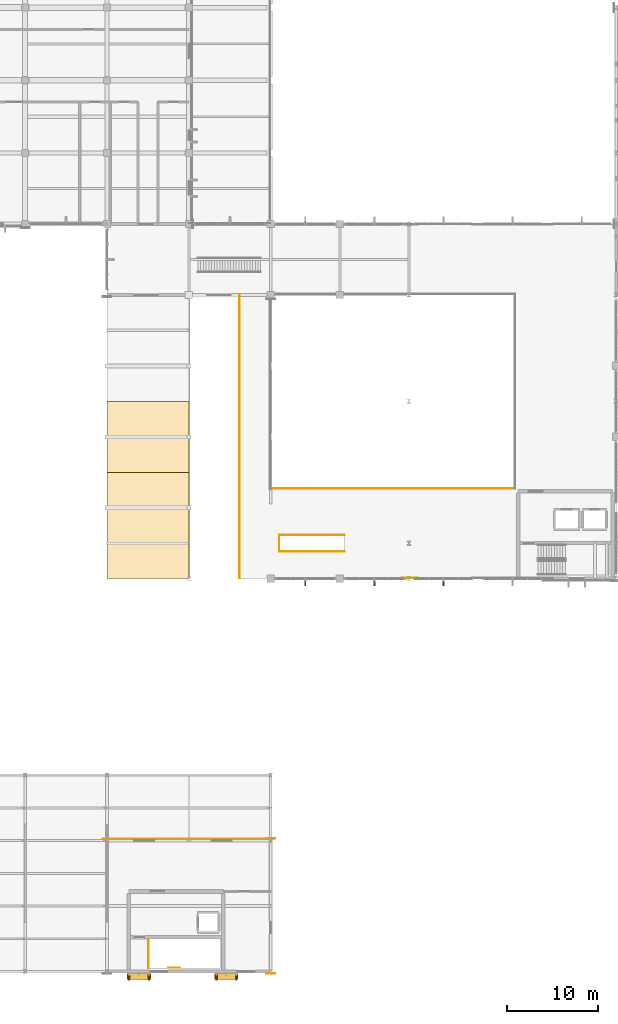
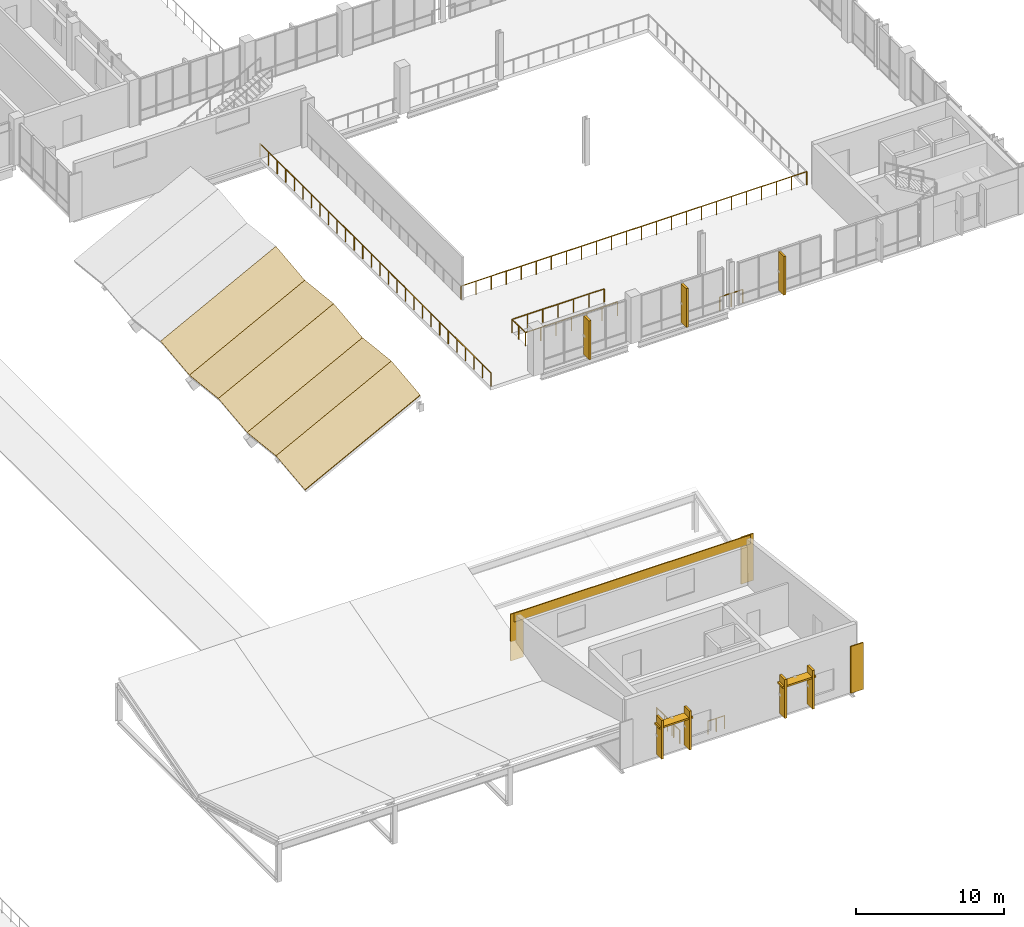
# One storey, part 57 of 64: 9 coverings, 9 railings, 9 shading devices.
"""IFC4 building model written with IfcOpenShell, lengths in metres."""

from ifc_helpers import new_model, si_unit, direction, frame, origin, origin_2d, place, context, subcontext, project, spatial, polyline, rectangle, circle, outline, extrude, material, layer, layer_set, type_object, element, save


model = new_model("IFC4")

# Units and contexts
model_context = context("Model", 3, precision=1e-05, world=origin(), true_north=direction((0.0, 1.0)))
body_context = subcontext(model_context, "Body", "Model", "MODEL_VIEW")
ifc_project = project(units=[si_unit("LENGTHUNIT", "METRE"), si_unit("AREAUNIT", "SQUARE_METRE"), si_unit("VOLUMEUNIT", "CUBIC_METRE"), si_unit("PLANEANGLEUNIT", "RADIAN"), si_unit("MASSUNIT", "GRAM", prefix="KILO")], contexts=[model_context])

# Site, building, storey
site_placement = place(None, origin())
site = spatial("IfcSite", under=ifc_project, at=site_placement, CompositionType="ELEMENT")
building_placement = place(site_placement, origin())
building = spatial("IfcBuilding", under=site, at=building_placement, Name="Vervanel Yard Central Library", CompositionType="ELEMENT")
storey_placement = place(building_placement, frame((0.0, 0.0, 8.93994140625)))
storey = spatial("IfcBuildingStorey", under=building, at=storey_placement, Name="L02", CompositionType="ELEMENT", Elevation=8.93994140625)

# Coverings
ifc_material_1 = material(Name="Precast concrete C45/55", Category="concrete")
ifc_layer_1 = layer(ifc_material_1, 0.0849609375, Category="concrete")
ifc_layer_set_1 = layer_set([ifc_layer_1], Name="Precast concrete C45/55")
covering_type_1 = type_object("IfcCoveringType", Name="Bush-Hammered Precast Architectural Cladding Panel", PredefinedType="CLADDING", material=ifc_layer_set_1)
covering_1_placement = place(storey_placement, frame((108.0, -0.21240234375, 0.0), z_axis=(0.0, 0.0, 1.0), x_axis=(1.0, 0.0, 0.0)))
element("IfcCovering", 1, at=covering_1_placement, inside=storey, type_object=covering_type_1, Name="L02 Precast Concrete Pier Pilaster EWALL-L02-0209-B", PredefinedType="CLADDING", context=body_context, shape_type="SweptSolid", body=[
    extrude(rectangle(XDim=0.97998046875, YDim=0.0849609375, at=origin_2d()), origin(), (0.0, 0.0, 1.0), 3.860107421875),
])
covering_2_placement = place(storey_placement, frame((99.0, 14.570068359375, 3.1201171875), z_axis=(0.0, 0.0, 1.0), x_axis=(1.0, 0.0, 0.0)))
element("IfcCovering", 2, at=covering_2_placement, inside=storey, type_object=covering_type_1, Name="L02 Precast Concrete Spandrel Cornice EWALL-L02-0210", PredefinedType="CLADDING", context=body_context, shape_type="SweptSolid", body=[
    extrude(rectangle(XDim=18.449951171875, YDim=0.0849609375, at=origin_2d()), origin(), (0.0, 0.0, 1.0), 0.739990234375),
])
for number, where, z_axis, x_axis, name in (
    (3, (90.0, 14.572509765625, 0.0), (0.0, 0.0, 1.0), (1.0, 0.0, 0.0), "L02 Precast Concrete Pier Pilaster EWALL-L02-0210-A"),
    (4, (108.0, 14.626708984375, 0.0), (0.0, 0.0, 1.0), (1.0, 0.0, 0.0), "L02 Precast Concrete Pier Pilaster EWALL-L02-0210-B"),
):
    element("IfcCovering", number, at=place(storey_placement, frame(where, z_axis=z_axis, x_axis=x_axis)), inside=storey, type_object=covering_type_1, Name=name, PredefinedType="CLADDING", context=body_context, shape_type="SweptSolid", body=[
        extrude(rectangle(XDim=0.97998046875, YDim=0.0849609375, at=origin_2d()), origin(), (0.0, 0.0, 1.0), 3.860107421875),
    ])

# Railings
ifc_material_2 = material(Name="Brushed stainless steel AISI 316", Category="steel")
railing_type_1 = type_object("IfcRailingType", Name="Glazed Atrium & Gallery Balustrade 1120", PredefinedType="BALUSTRADE", material=ifc_material_2)
railing_1_placement = place(storey_placement, frame((108.93994140625, 46.199951171875, 0.0)))
element("IfcRailing", 5, at=railing_1_placement, inside=storey, type_object=railing_type_1, Name="L02 Void Guard FST-03-L01-WELLGD S", PredefinedType="BALUSTRADE", context=body_context, shape_type="SweptSolid", body=[
    extrude(circle(Radius=0.02392578125, at=origin_2d()), frame((0.0, 0.0, 1.09619140625), z_axis=(1.0, 0.0, 0.0), x_axis=(0.0, 1.0, 0.0)), (0.0, 0.0, 1.0), 7.18505859375),
    extrude(circle(Radius=0.02099609375, at=origin_2d()), origin(), (0.0, 0.0, 1.0), 1.072021484375),
    extrude(circle(Radius=0.02099609375, at=origin_2d()), frame((1.197509765625, 0.0, 0.0)), (0.0, 0.0, 1.0), 1.072021484375),
    extrude(circle(Radius=0.02099609375, at=origin_2d()), frame((2.39501953125, 0.0, 0.0)), (0.0, 0.0, 1.0), 1.072021484375),
    extrude(circle(Radius=0.02099609375, at=origin_2d()), frame((3.592529296875, 0.0, 0.0)), (0.0, 0.0, 1.0), 1.072021484375),
    extrude(circle(Radius=0.02099609375, at=origin_2d()), frame((4.7900390625, 0.0, 0.0)), (0.0, 0.0, 1.0), 1.072021484375),
    extrude(circle(Radius=0.02099609375, at=origin_2d()), frame((5.987548828125, 0.0, 0.0)), (0.0, 0.0, 1.0), 1.072021484375),
    extrude(circle(Radius=0.02099609375, at=origin_2d()), frame((7.18505859375, 0.0, 0.0)), (0.0, 0.0, 1.0), 1.072021484375),
])
railing_2_placement = place(storey_placement, frame((116.125, 48.0, 0.0)))
element("IfcRailing", 6, at=railing_2_placement, inside=storey, type_object=railing_type_1, Name="L02 Void Guard FST-03-L01-WELLGD N", PredefinedType="BALUSTRADE", context=body_context, shape_type="SweptSolid", body=[
    extrude(circle(Radius=0.02392578125, at=origin_2d()), frame((0.0, 0.0, 1.09619140625), z_axis=(-1.0, 0.0, 0.0), x_axis=(0.0, -1.0, 0.0)), (0.0, 0.0, 1.0), 7.18505859375),
    extrude(circle(Radius=0.02099609375, at=origin_2d()), origin(), (0.0, 0.0, 1.0), 1.072021484375),
    extrude(circle(Radius=0.02099609375, at=origin_2d()), frame((-1.197509765625, 0.0, 0.0)), (0.0, 0.0, 1.0), 1.072021484375),
    extrude(circle(Radius=0.02099609375, at=origin_2d()), frame((-2.39501953125, 0.0, 0.0)), (0.0, 0.0, 1.0), 1.072021484375),
    extrude(circle(Radius=0.02099609375, at=origin_2d()), frame((-3.592529296875, 0.0, 0.0)), (0.0, 0.0, 1.0), 1.072021484375),
    extrude(circle(Radius=0.02099609375, at=origin_2d()), frame((-4.7900390625, 0.0, 0.0)), (0.0, 0.0, 1.0), 1.072021484375),
    extrude(circle(Radius=0.02099609375, at=origin_2d()), frame((-5.987548828125, 0.0, 0.0)), (0.0, 0.0, 1.0), 1.072021484375),
    extrude(circle(Radius=0.02099609375, at=origin_2d()), frame((-7.18505859375, 0.0, 0.0)), (0.0, 0.0, 1.0), 1.072021484375),
])
railing_3_placement = place(storey_placement, frame((108.93994140625, 48.0, 0.0)))
element("IfcRailing", 7, at=railing_3_placement, inside=storey, type_object=railing_type_1, Name="L02 Void Guard FST-03-L01-WELLGD W", PredefinedType="BALUSTRADE", context=body_context, shape_type="SweptSolid", body=[
    extrude(circle(Radius=0.02392578125, at=origin_2d()), frame((0.0, 0.0, 1.09619140625), z_axis=(0.0, -1.0, 0.0), x_axis=(1.0, 0.0, 0.0)), (0.0, 0.0, 1.0), 1.800048828125),
    extrude(circle(Radius=0.02099609375, at=origin_2d()), origin(), (0.0, 0.0, 1.0), 1.072021484375),
    extrude(circle(Radius=0.02099609375, at=origin_2d()), frame((0.0, -0.89990234375, 0.0)), (0.0, 0.0, 1.0), 1.072021484375),
    extrude(circle(Radius=0.02099609375, at=origin_2d()), frame((0.0, -1.800048828125, 0.0)), (0.0, 0.0, 1.0), 1.072021484375),
])
railing_4_placement = place(storey_placement, frame((107.919921875, 53.1201171875, 0.0)))
element("IfcRailing", 8, at=railing_4_placement, inside=storey, type_object=railing_type_1, Name="L02 Void Guard V3HALL-GD-L02 S", PredefinedType="BALUSTRADE", context=body_context, shape_type="SweptSolid", body=[
    extrude(circle(Radius=0.02392578125, at=origin_2d()), frame((0.0, 0.0, 1.09619140625), z_axis=(1.0, 0.0, 0.0), x_axis=(0.0, 1.0, 0.0)), (0.0, 0.0, 1.0), 26.9599609375),
    extrude(circle(Radius=0.02099609375, at=origin_2d()), origin(), (0.0, 0.0, 1.0), 1.072021484375),
    extrude(circle(Radius=0.02099609375, at=origin_2d()), frame((1.172119140625, 0.0, 0.0)), (0.0, 0.0, 1.0), 1.072021484375),
    extrude(circle(Radius=0.02099609375, at=origin_2d()), frame((2.34423828125, 0.0, 0.0)), (0.0, 0.0, 1.0), 1.072021484375),
    extrude(circle(Radius=0.02099609375, at=origin_2d()), frame((3.5166015625, 0.0, 0.0)), (0.0, 0.0, 1.0), 1.072021484375),
    extrude(circle(Radius=0.02099609375, at=origin_2d()), frame((4.688720703125, 0.0, 0.0)), (0.0, 0.0, 1.0), 1.072021484375),
    extrude(circle(Radius=0.02099609375, at=origin_2d()), frame((5.86083984375, 0.0, 0.0)), (0.0, 0.0, 1.0), 1.072021484375),
    extrude(circle(Radius=0.02099609375, at=origin_2d()), frame((7.032958984375, 0.0, 0.0)), (0.0, 0.0, 1.0), 1.072021484375),
    extrude(circle(Radius=0.02099609375, at=origin_2d()), frame((8.205322265625, 0.0, 0.0)), (0.0, 0.0, 1.0), 1.072021484375),
    extrude(circle(Radius=0.02099609375, at=origin_2d()), frame((9.37744140625, 0.0, 0.0)), (0.0, 0.0, 1.0), 1.072021484375),
    extrude(circle(Radius=0.02099609375, at=origin_2d()), frame((10.549560546875, 0.0, 0.0)), (0.0, 0.0, 1.0), 1.072021484375),
    extrude(circle(Radius=0.02099609375, at=origin_2d()), frame((11.7216796875, 0.0, 0.0)), (0.0, 0.0, 1.0), 1.072021484375),
    extrude(circle(Radius=0.02099609375, at=origin_2d()), frame((12.893798828125, 0.0, 0.0)), (0.0, 0.0, 1.0), 1.072021484375),
    extrude(circle(Radius=0.02099609375, at=origin_2d()), frame((14.066162109375, 0.0, 0.0)), (0.0, 0.0, 1.0), 1.072021484375),
    extrude(circle(Radius=0.02099609375, at=origin_2d()), frame((15.23828125, 0.0, 0.0)), (0.0, 0.0, 1.0), 1.072021484375),
    extrude(circle(Radius=0.02099609375, at=origin_2d()), frame((16.410400390625, 0.0, 0.0)), (0.0, 0.0, 1.0), 1.072021484375),
    extrude(circle(Radius=0.02099609375, at=origin_2d()), frame((17.58251953125, 0.0, 0.0)), (0.0, 0.0, 1.0), 1.072021484375),
    extrude(circle(Radius=0.02099609375, at=origin_2d()), frame((18.754638671875, 0.0, 0.0)), (0.0, 0.0, 1.0), 1.072021484375),
    extrude(circle(Radius=0.02099609375, at=origin_2d()), frame((19.927001953125, 0.0, 0.0)), (0.0, 0.0, 1.0), 1.072021484375),
    extrude(circle(Radius=0.02099609375, at=origin_2d()), frame((21.09912109375, 0.0, 0.0)), (0.0, 0.0, 1.0), 1.072021484375),
    extrude(circle(Radius=0.02099609375, at=origin_2d()), frame((22.271240234375, 0.0, 0.0)), (0.0, 0.0, 1.0), 1.072021484375),
    extrude(circle(Radius=0.02099609375, at=origin_2d()), frame((23.443359375, 0.0, 0.0)), (0.0, 0.0, 1.0), 1.072021484375),
    extrude(circle(Radius=0.02099609375, at=origin_2d()), frame((24.61572265625, 0.0, 0.0)), (0.0, 0.0, 1.0), 1.072021484375),
    extrude(circle(Radius=0.02099609375, at=origin_2d()), frame((25.787841796875, 0.0, 0.0)), (0.0, 0.0, 1.0), 1.072021484375),
    extrude(circle(Radius=0.02099609375, at=origin_2d()), frame((26.9599609375, 0.0, 0.0)), (0.0, 0.0, 1.0), 1.072021484375),
])
railing_5_placement = place(storey_placement, frame((122.39990234375, 43.260009765625, 0.0)))
element("IfcRailing", 9, at=railing_5_placement, inside=storey, type_object=railing_type_1, Name="L02 Perimeter Gap Guard V3-L02-S-GAP2", PredefinedType="BALUSTRADE", context=body_context, shape_type="SweptSolid", body=[
    extrude(circle(Radius=0.02392578125, at=origin_2d()), frame((0.0, 0.0, 1.09619140625), z_axis=(1.0, 0.0, 0.0), x_axis=(0.0, 1.0, 0.0)), (0.0, 0.0, 1.0), 1.800048828125),
    extrude(circle(Radius=0.02099609375, at=origin_2d()), origin(), (0.0, 0.0, 1.0), 1.072021484375),
    extrude(circle(Radius=0.02099609375, at=origin_2d()), frame((0.89990234375, 0.0, 0.0)), (0.0, 0.0, 1.0), 1.072021484375),
    extrude(circle(Radius=0.02099609375, at=origin_2d()), frame((1.800048828125, 0.0, 0.0)), (0.0, 0.0, 1.0), 1.072021484375),
])
railing_6_placement = place(storey_placement, frame((104.550048828125, 43.239990234375, 0.0)))
element("IfcRailing", 10, at=railing_6_placement, inside=storey, type_object=railing_type_1, Name="L02 Perimeter Gap Guard V3-L02-STEP-W", PredefinedType="BALUSTRADE", context=body_context, shape_type="SweptSolid", body=[
    extrude(circle(Radius=0.02392578125, at=origin_2d()), frame((0.0, 0.0, 1.09619140625), z_axis=(0.0, 1.0, 0.0), x_axis=(-1.0, 0.0, 0.0)), (0.0, 0.0, 1.0), 31.2099609375),
    extrude(circle(Radius=0.02099609375, at=origin_2d()), origin(), (0.0, 0.0, 1.0), 1.072021484375),
    extrude(circle(Radius=0.02099609375, at=origin_2d()), frame((0.0, 1.156005859375, 0.0)), (0.0, 0.0, 1.0), 1.072021484375),
    extrude(circle(Radius=0.02099609375, at=origin_2d()), frame((0.0, 2.311767578125, 0.0)), (0.0, 0.0, 1.0), 1.072021484375),
    extrude(circle(Radius=0.02099609375, at=origin_2d()), frame((0.0, 3.4677734375, 0.0)), (0.0, 0.0, 1.0), 1.072021484375),
    extrude(circle(Radius=0.02099609375, at=origin_2d()), frame((0.0, 4.623779296875, 0.0)), (0.0, 0.0, 1.0), 1.072021484375),
    extrude(circle(Radius=0.02099609375, at=origin_2d()), frame((0.0, 5.779541015625, 0.0)), (0.0, 0.0, 1.0), 1.072021484375),
    extrude(circle(Radius=0.02099609375, at=origin_2d()), frame((0.0, 6.935546875, 0.0)), (0.0, 0.0, 1.0), 1.072021484375),
    extrude(circle(Radius=0.02099609375, at=origin_2d()), frame((0.0, 8.091552734375, 0.0)), (0.0, 0.0, 1.0), 1.072021484375),
    extrude(circle(Radius=0.02099609375, at=origin_2d()), frame((0.0, 9.247314453125, 0.0)), (0.0, 0.0, 1.0), 1.072021484375),
    extrude(circle(Radius=0.02099609375, at=origin_2d()), frame((0.0, 10.4033203125, 0.0)), (0.0, 0.0, 1.0), 1.072021484375),
    extrude(circle(Radius=0.02099609375, at=origin_2d()), frame((0.0, 11.559326171875, 0.0)), (0.0, 0.0, 1.0), 1.072021484375),
    extrude(circle(Radius=0.02099609375, at=origin_2d()), frame((0.0, 12.715087890625, 0.0)), (0.0, 0.0, 1.0), 1.072021484375),
    extrude(circle(Radius=0.02099609375, at=origin_2d()), frame((0.0, 13.87109375, 0.0)), (0.0, 0.0, 1.0), 1.072021484375),
    extrude(circle(Radius=0.02099609375, at=origin_2d()), frame((0.0, 15.027099609375, 0.0)), (0.0, 0.0, 1.0), 1.072021484375),
    extrude(circle(Radius=0.02099609375, at=origin_2d()), frame((0.0, 16.182861328125, 0.0)), (0.0, 0.0, 1.0), 1.072021484375),
    extrude(circle(Radius=0.02099609375, at=origin_2d()), frame((0.0, 17.3388671875, 0.0)), (0.0, 0.0, 1.0), 1.072021484375),
    extrude(circle(Radius=0.02099609375, at=origin_2d()), frame((0.0, 18.494873046875, 0.0)), (0.0, 0.0, 1.0), 1.072021484375),
    extrude(circle(Radius=0.02099609375, at=origin_2d()), frame((0.0, 19.650634765625, 0.0)), (0.0, 0.0, 1.0), 1.072021484375),
    extrude(circle(Radius=0.02099609375, at=origin_2d()), frame((0.0, 20.806640625, 0.0)), (0.0, 0.0, 1.0), 1.072021484375),
    extrude(circle(Radius=0.02099609375, at=origin_2d()), frame((0.0, 21.962646484375, 0.0)), (0.0, 0.0, 1.0), 1.072021484375),
    extrude(circle(Radius=0.02099609375, at=origin_2d()), frame((0.0, 23.118408203125, 0.0)), (0.0, 0.0, 1.0), 1.072021484375),
    extrude(circle(Radius=0.02099609375, at=origin_2d()), frame((0.0, 24.2744140625, 0.0)), (0.0, 0.0, 1.0), 1.072021484375),
    extrude(circle(Radius=0.02099609375, at=origin_2d()), frame((0.0, 25.430419921875, 0.0)), (0.0, 0.0, 1.0), 1.072021484375),
    extrude(circle(Radius=0.02099609375, at=origin_2d()), frame((0.0, 26.586181640625, 0.0)), (0.0, 0.0, 1.0), 1.072021484375),
    extrude(circle(Radius=0.02099609375, at=origin_2d()), frame((0.0, 27.7421875, 0.0)), (0.0, 0.0, 1.0), 1.072021484375),
    extrude(circle(Radius=0.02099609375, at=origin_2d()), frame((0.0, 28.898193359375, 0.0)), (0.0, 0.0, 1.0), 1.072021484375),
    extrude(circle(Radius=0.02099609375, at=origin_2d()), frame((0.0, 30.053955078125, 0.0)), (0.0, 0.0, 1.0), 1.072021484375),
    extrude(circle(Radius=0.02099609375, at=origin_2d()), frame((0.0, 31.2099609375, 0.0)), (0.0, 0.0, 1.0), 1.072021484375),
])

# Shading devices
shading_device_type_1 = type_object("IfcShadingDeviceType", Name="Horizontal Precast Brise-Soleil Sunhood 2600x680x140", PredefinedType="JALOUSIE", material=ifc_material_1)
for number, where, z_axis, x_axis, name in (
    (11, (93.52490234375, -0.5400390625, 2.7802734375), (0.0, 0.0, 1.0), (1.0, 0.0, 0.0), "L02 Precast Horizontal Sunhood 119"),
    (12, (103.125, -0.5400390625, 2.7802734375), (0.0, 0.0, 1.0), (1.0, 0.0, 0.0), "L02 Precast Horizontal Sunhood 120"),
):
    element("IfcShadingDevice", number, at=place(storey_placement, frame(where, z_axis=z_axis, x_axis=x_axis)), inside=storey, type_object=shading_device_type_1, Name=name, PredefinedType="JALOUSIE", context=body_context, shape_type="SweptSolid", body=[
        extrude(rectangle(XDim=2.60009765625, YDim=0.679931640625, at=origin_2d()), origin(), (0.0, 0.0, 1.0), 0.139892578125),
    ])

# Railings
ifc_material_3 = material(Name="Galvanized painted steelwork ASTM A500 Grade C", Category="steel")
railing_type_2 = type_object("IfcRailingType", Name="Painted Steel Guardrail 1100", PredefinedType="GUARDRAIL", material=ifc_material_3)
railing_7_placement = place(storey_placement, frame((94.550048828125, 0.39990234375, 0.0)))
element("IfcRailing", 13, at=railing_7_placement, inside=storey, type_object=railing_type_2, Name="L02 ST-06 top well guard 1", PredefinedType="GUARDRAIL", context=body_context, shape_type="SweptSolid", body=[
    extrude(circle(Radius=0.02392578125, at=origin_2d()), frame((0.0, 0.0, 1.076171875), z_axis=(0.0, 1.0, 0.0), x_axis=(-1.0, 0.0, 0.0)), (0.0, 0.0, 1.0), 1.68017578125),
    extrude(circle(Radius=0.02099609375, at=origin_2d()), origin(), (0.0, 0.0, 1.0), 1.052001953125),
    extrude(circle(Radius=0.02099609375, at=origin_2d()), frame((0.0, 0.840087890625, 0.0)), (0.0, 0.0, 1.0), 1.052001953125),
    extrude(circle(Radius=0.02099609375, at=origin_2d()), frame((0.0, 1.68017578125, 0.0)), (0.0, 0.0, 1.0), 1.052001953125),
])
railing_8_placement = place(storey_placement, frame((94.56005859375, 0.449951171875, 0.0)))
element("IfcRailing", 14, at=railing_8_placement, inside=storey, type_object=railing_type_2, Name="L02 CORE-F Top Stair Well Guard", PredefinedType="GUARDRAIL", context=body_context, shape_type="SweptSolid", body=[
    extrude(circle(Radius=0.02392578125, at=origin_2d()), frame((0.0, 0.0, 1.076171875), z_axis=(0.0, 1.0, 0.0), x_axis=(-1.0, 0.0, 0.0)), (0.0, 0.0, 1.0), 3.10009765625),
    extrude(circle(Radius=0.02099609375, at=origin_2d()), origin(), (0.0, 0.0, 1.0), 1.052001953125),
    extrude(circle(Radius=0.02099609375, at=origin_2d()), frame((0.0, 1.033447265625, 0.0)), (0.0, 0.0, 1.0), 1.052001953125),
    extrude(circle(Radius=0.02099609375, at=origin_2d()), frame((0.0, 2.066650390625, 0.0)), (0.0, 0.0, 1.0), 1.052001953125),
    extrude(circle(Radius=0.02099609375, at=origin_2d()), frame((0.0, 3.10009765625, 0.0)), (0.0, 0.0, 1.0), 1.052001953125),
])
railing_9_placement = place(storey_placement, frame((96.75, 0.419921875, 0.0)))
element("IfcRailing", 15, at=railing_9_placement, inside=storey, type_object=railing_type_2, Name="L02 CORE-F Top Stair South Well Guard", PredefinedType="GUARDRAIL", context=body_context, shape_type="SweptSolid", body=[
    extrude(circle(Radius=0.02392578125, at=origin_2d()), frame((0.0, 0.0, 1.076171875), z_axis=(1.0, 0.0, 0.0), x_axis=(0.0, 1.0, 0.0)), (0.0, 0.0, 1.0), 1.300048828125),
    extrude(circle(Radius=0.02099609375, at=origin_2d()), origin(), (0.0, 0.0, 1.0), 1.052001953125),
    extrude(circle(Radius=0.02099609375, at=origin_2d()), frame((0.64990234375, 0.0, 0.0)), (0.0, 0.0, 1.0), 1.052001953125),
    extrude(circle(Radius=0.02099609375, at=origin_2d()), frame((1.300048828125, 0.0, 0.0)), (0.0, 0.0, 1.0), 1.052001953125),
])

# Coverings
ifc_material_4 = material(Name="Standing-seam dark zinc-coated metal roofing", Category="metal")
ifc_layer_2 = layer(ifc_material_4, 0.06494140625, Category="metal")
ifc_layer_set_2 = layer_set([ifc_layer_2], Name="Standing-seam dark zinc-coated metal roofing")
covering_type_2 = type_object("IfcCoveringType", Name="Standing-Seam Dark Zinc Roof Assembly", PredefinedType="ROOFING", material=ifc_layer_set_2)
covering_3_placement = place(storey_placement, frame((90.0, 43.199951171875, -3.421875), z_axis=(-0.458693072844, -0.099029782554, 0.883059322522), x_axis=(0.887421421211, 1.052569e-06, 0.460959023314)))
element("IfcCovering", 16, at=covering_3_placement, inside=storey, type_object=covering_type_2, Name="Standing-Seam Zinc Roofing V3-FLK-B1-S01", PredefinedType="ROOFING", context=body_context, shape_type="SweptSolid", body=[
    extrude(outline(polyline([(0.0, 0.0), (10.141798732657492, -5.551115123125783e-17), (10.343359871708618, 3.9194015336202823), (0.20167367787517795, 3.9194229888613883), (0.0, 0.0)])), origin(), (0.0, 0.0, -1.0), 0.06494140625),
])
covering_4_placement = place(storey_placement, frame((90.0, 47.10009765625, -2.984375), z_axis=(-0.45869279123, 0.099035921186, 0.88305878037), x_axis=(0.887421517789, 1.052646e-06, 0.460958837386)))
element("IfcCovering", 17, at=covering_4_placement, inside=storey, type_object=covering_type_2, Name="Standing-Seam Zinc Roofing V3-FLK-B1-S02", PredefinedType="ROOFING", context=body_context, shape_type="SweptSolid", body=[
    extrude(outline(polyline([(0.0, 0.0), (10.141686193856135, 0.0), (9.940133346494166, 3.9191590189025214), (-0.20166538614062746, 3.9191804757116855), (0.0, 0.0)])), origin(), (0.0, 0.0, -1.0), 0.06494140625),
])
covering_5_placement = place(storey_placement, frame((90.0, 51.0, -3.421875), z_axis=(-0.45869279123, -0.099035921186, 0.88305878037), x_axis=(0.887421421205, 1.052634e-06, 0.460959023326)))
element("IfcCovering", 18, at=covering_5_placement, inside=storey, type_object=covering_type_2, Name="Standing-Seam Zinc Roofing V3-FLK-B1-S03", PredefinedType="ROOFING", context=body_context, shape_type="SweptSolid", body=[
    extrude(outline(polyline([(0.0, 0.0), (10.141798732657492, -5.551115123125783e-17), (10.343359871708618, 3.919158592472255), (0.2016736778751794, 3.919180049043323), (0.0, 0.0)])), origin(), (0.0, 0.0, -1.0), 0.06494140625),
])
covering_6_placement = place(storey_placement, frame((90.0, 54.89990234375, -2.984375), z_axis=(-0.458693072844, 0.099029782554, 0.883059322522), x_axis=(0.887421517783, 1.052581e-06, 0.460958837397)))
element("IfcCovering", 19, at=covering_6_placement, inside=storey, type_object=covering_type_2, Name="Standing-Seam Zinc Roofing V3-FLK-B1-S04", PredefinedType="ROOFING", context=body_context, shape_type="SweptSolid", body=[
    extrude(outline(polyline([(0.0, 0.0), (10.141686193856135, -5.551115123125783e-17), (9.940133346494168, 3.9194019600241177), (-0.2016653861406289, 3.9194234155033048), (0.0, 0.0)])), origin(), (0.0, 0.0, -1.0), 0.06494140625),
])
covering_7_placement = place(storey_placement, frame((90.0, 58.800048828125, -3.421875), z_axis=(-0.45869279123, -0.099035921186, 0.88305878037), x_axis=(0.887421421205, 1.052634e-06, 0.460959023326)))
element("IfcCovering", 20, at=covering_7_placement, inside=storey, type_object=covering_type_2, Name="Standing-Seam Zinc Roofing V3-FLK-B1-S05", PredefinedType="ROOFING", context=body_context, shape_type="SweptSolid", body=[
    extrude(outline(polyline([(0.0, 0.0), (10.141798732657492, -5.551115123125783e-17), (10.343359871708618, 3.919158592472255), (0.2016736778751794, 3.919180049043323), (0.0, 0.0)])), origin(), (0.0, 0.0, -1.0), 0.06494140625),
])

# Shading devices
shading_device_type_2 = type_object("IfcShadingDeviceType", Name="Vertical Precast Solar Fin 160x720x3200", PredefinedType="JALOUSIE", material=ifc_material_1)
for number, where, z_axis, x_axis, name in (
    (21, (111.800048828125, 42.7900390625, 0.1552734375), (0.0, 0.0, 1.0), (1.0, 0.0, 0.0), "L02 Precast Solar Fin 455"),
    (22, (119.39990234375, 42.7900390625, 0.1552734375), (0.0, 0.0, 1.0), (1.0, 0.0, 0.0), "L02 Precast Solar Fin 456"),
    (23, (127.0, 42.7900390625, 0.1552734375), (0.0, 0.0, 1.0), (1.0, 0.0, 0.0), "L02 Precast Solar Fin 457"),
    (24, (92.43994140625, -0.570068359375, 0.27490234375), (0.0, 0.0, 1.0), (1.0, 0.0, 0.0), "L02 Precast Solar Fin 610"),
    (25, (94.610107421875, -0.570068359375, 0.27490234375), (0.0, 0.0, 1.0), (1.0, 0.0, 0.0), "L02 Precast Solar Fin 611"),
    (26, (102.0400390625, -0.570068359375, 0.27490234375), (0.0, 0.0, 1.0), (1.0, 0.0, 0.0), "L02 Precast Solar Fin 612"),
    (27, (104.2099609375, -0.570068359375, 0.27490234375), (0.0, 0.0, 1.0), (1.0, 0.0, 0.0), "L02 Precast Solar Fin 613"),
):
    element("IfcShadingDevice", number, at=place(storey_placement, frame(where, z_axis=z_axis, x_axis=x_axis)), inside=storey, type_object=shading_device_type_2, Name=name, PredefinedType="JALOUSIE", context=body_context, shape_type="SweptSolid", body=[
        extrude(rectangle(XDim=0.159912109375, YDim=0.719970703125, at=origin_2d()), origin(), (0.0, 0.0, 1.0), 3.199951171875),
    ])

save(model, "model.ifc")
